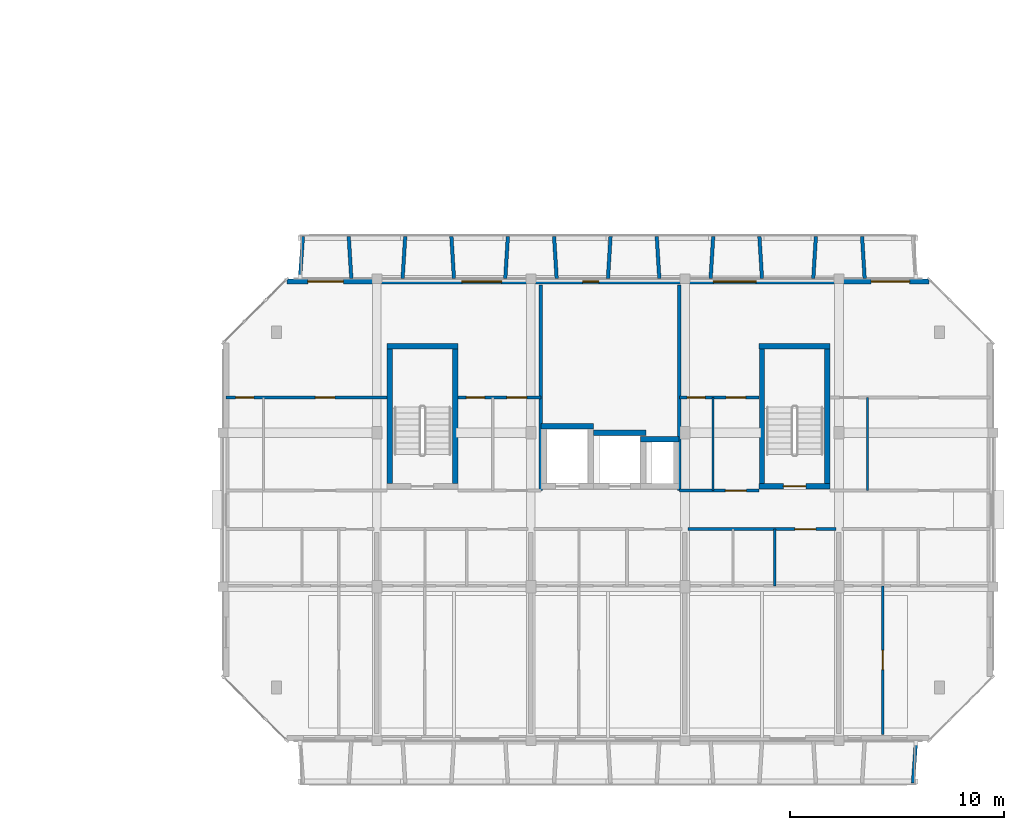
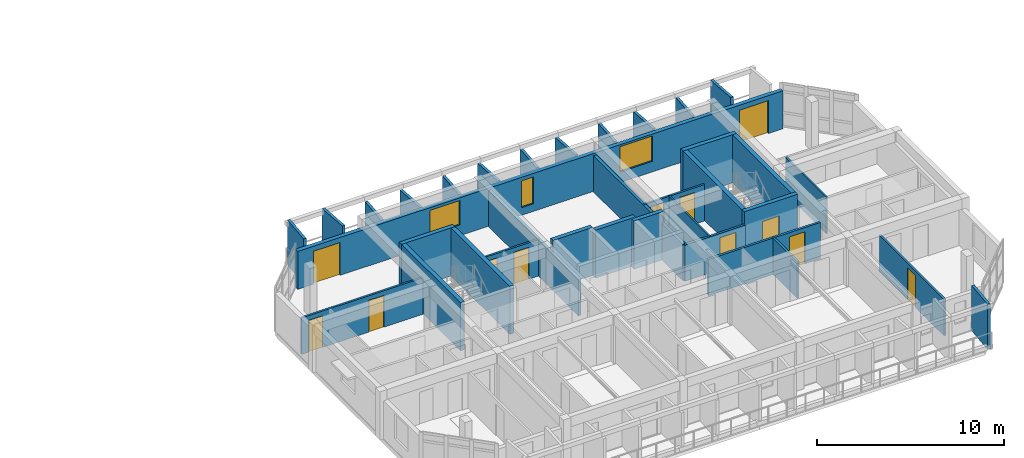
# One storey, part 27 of 43: 35 walls, 12 doors, 3 windows, 15 openings.
"""IFC4 building model written with IfcOpenShell, lengths in metres."""

from ifc_helpers import new_model, si_unit, direction, frame, frame_2d, origin, place, context, subcontext, project, spatial, rectangle, extrude, material, layer, layer_set, type_object, element, fill, save


model = new_model("IFC4")

# Units and contexts
model_context = context("Model", 3, precision=1e-05, world=origin(), true_north=direction((0.0, 1.0)))
body_context = subcontext(model_context, "Body", "Model", "MODEL_VIEW")
ifc_project = project(units=[si_unit("LENGTHUNIT", "METRE"), si_unit("AREAUNIT", "SQUARE_METRE"), si_unit("VOLUMEUNIT", "CUBIC_METRE"), si_unit("PLANEANGLEUNIT", "RADIAN"), si_unit("MASSUNIT", "GRAM", prefix="KILO")], contexts=[model_context])

# Site, building, storey
site_placement = place(None, origin())
site = spatial("IfcSite", under=ifc_project, at=site_placement, CompositionType="ELEMENT")
building_placement = place(site_placement, origin())
building = spatial("IfcBuilding", under=site, at=building_placement, Name="Ochrevale Crest", CompositionType="ELEMENT")
storey_placement = place(building_placement, frame((0.0, 0.0, 30.75)))
storey = spatial("IfcBuildingStorey", under=building, at=storey_placement, Name="L09", CompositionType="ELEMENT", Elevation=30.75)

# Wall, opening, door
ifc_material_1 = material(Name="Gypsum plasterboard", Category="gypsum")
ifc_layer_1 = layer(ifc_material_1, 0.139892578125)
ifc_layer_set_1 = layer_set([ifc_layer_1], Name="Gypsum plasterboard")
wall_type_1 = type_object("IfcWallType", Name="WL-COR-140", PredefinedType="PARTITIONING", material=ifc_layer_set_1)
wall_1_placement = place(storey_placement, frame((151.340087890625, 24.300048828125, 0.0), z_axis=(0.0, 0.0, 1.0), x_axis=(1.0, 0.0, 0.0)))
wall_1 = element("IfcWall", 1, at=wall_1_placement, inside=storey, type_object=wall_type_1, Name="Apartment C-L09-U4 corridor wall", PredefinedType="PARTITIONING", context=body_context, shape_type="SweptSolid", body=[
    extrude(rectangle(XDim=6.919921875, YDim=0.139892578125, at=frame_2d((3.4599609375, 0.0))), origin(), (0.0, 0.0, 1.0), 2.3798828125),
])
opening_1_placement = place(wall_1_placement, frame((5.97509765625, 0.0, 0.0), z_axis=(0.0, 0.0, 1.0), x_axis=(-1.0, 0.0, 0.0)))
opening_1 = element("IfcOpeningElement", 2, at=opening_1_placement, cuts=wall_1, Name="Opening FD01", PredefinedType="OPENING", context=body_context, shape_type="SweptSolid", body=[
    extrude(rectangle(XDim=0.97998046875, YDim=2.10009765625, at=frame_2d((0.489990234375, 1.050048828125))), frame((0.0, 0.080078125, 0.0), z_axis=(0.0, -1.0, 0.0), x_axis=(1.0, 0.0, 0.0)), (0.0, 0.0, 1.0), 0.159912109375),
])
ifc_material_2 = material(Name="Solid-core FSC hardwood", Category="wood")
door_type_1 = type_object("IfcDoorType", Name="DR-APT-950", OperationType="NOTDEFINED", PredefinedType="DOOR", material=ifc_material_2)
door_1_placement = place(opening_1_placement, origin())
door_1 = element("IfcDoor", 3, at=door_1_placement, inside=storey, type_object=door_type_1, Name="Apartment C-L09-U4 entrance door", OperationType="SINGLE_SWING_RIGHT", OverallHeight=2.10009765625, OverallWidth=0.97998046875, PredefinedType="DOOR", context=body_context, shape_type="SweptSolid", body=[
    extrude(rectangle(XDim=0.97998046875, YDim=2.10009765625, at=frame_2d((0.489990234375, 1.050048828125))), frame((0.0, 0.02490234375, 0.0), z_axis=(0.0, -1.0, 0.0), x_axis=(1.0, 0.0, 0.0)), (0.0, 0.0, 1.0), 0.050048828125),
])
fill(opening_1, door_1)

wall_2_placement = place(storey_placement, frame((150.93994140625, 26.10009765625, 0.0), z_axis=(0.0, 0.0, 1.0), x_axis=(1.0, 0.0, 0.0)))
wall_2 = element("IfcWall", 4, at=wall_2_placement, inside=storey, type_object=wall_type_1, Name="Suite C-L09-ME corridor wall", PredefinedType="PARTITIONING", context=body_context, shape_type="SweptSolid", body=[
    extrude(rectangle(XDim=3.719970703125, YDim=0.139892578125, at=frame_2d((1.85986328125, 0.0))), origin(), (0.0, 0.0, 1.0), 2.3798828125),
])
opening_2_placement = place(wall_2_placement, frame((2.151123046875, 0.0, 0.0)))
opening_2 = element("IfcOpeningElement", 5, at=opening_2_placement, cuts=wall_2, Name="Opening FD01", PredefinedType="OPENING", context=body_context, shape_type="SweptSolid", body=[
    extrude(rectangle(XDim=0.97998046875, YDim=2.10009765625, at=frame_2d((0.489990234375, 1.050048828125))), frame((0.0, 0.080078125, 0.0), z_axis=(0.0, -1.0, 0.0), x_axis=(1.0, 0.0, 0.0)), (0.0, 0.0, 1.0), 0.159912109375),
])
door_2_placement = place(opening_2_placement, origin())
door_2 = element("IfcDoor", 6, at=door_2_placement, inside=storey, type_object=door_type_1, Name="Suite C-L09-ME entrance door", OperationType="SINGLE_SWING_LEFT", OverallHeight=2.10009765625, OverallWidth=0.97998046875, PredefinedType="DOOR", context=body_context, shape_type="SweptSolid", body=[
    extrude(rectangle(XDim=0.97998046875, YDim=2.10009765625, at=frame_2d((0.489990234375, 1.050048828125))), frame((0.0, 0.02490234375, 0.0), z_axis=(0.0, -1.0, 0.0), x_axis=(1.0, 0.0, 0.0)), (0.0, 0.0, 1.0), 0.050048828125),
])
fill(opening_2, door_2)

# Walls
ifc_material_3 = material(Name="Precast concrete C50/60", Category="concrete")
ifc_layer_2 = layer(ifc_material_3, 0.2548828125)
ifc_layer_set_2 = layer_set([ifc_layer_2], Name="Precast concrete C50/60")
wall_type_2 = type_object("IfcWallType", Name="WL-CORE-255", PredefinedType="SHEAR", material=ifc_layer_set_2)
wall_3_placement = place(storey_placement, frame((137.2724609375, 32.85009765625, 0.0), z_axis=(0.0, 0.0, 1.0), x_axis=(1.0, 0.0, 0.0)))
element("IfcWall", 7, at=wall_3_placement, inside=storey, type_object=wall_type_2, Name="Block C L09 Stair 1 precast core shear wall N", PredefinedType="SHEAR", context=body_context, shape_type="SweptSolid", body=[
    extrude(rectangle(XDim=3.304931640625, YDim=0.2548828125, at=frame_2d((1.65234375, 0.0))), origin(), (0.0, 0.0, 1.0), 3.14990234375),
])
for number, where, z_axis, x_axis, name in (
    (8, (137.39990234375, 26.427490234375, 0.0), (0.0, 0.0, 1.0), (0.0, 1.0, 0.0), "Block C L09 Stair 1 precast core shear wall W"),
    (9, (140.449951171875, 26.427490234375, 0.0), (0.0, 0.0, 1.0), (0.0, 1.0, 0.0), "Block C L09 Stair 1 precast core shear wall E"),
):
    element("IfcWall", number, at=place(storey_placement, frame(where, z_axis=z_axis, x_axis=x_axis)), inside=storey, type_object=wall_type_2, Name=name, PredefinedType="SHEAR", context=body_context, shape_type="SweptSolid", body=[
        extrude(rectangle(XDim=6.294921875, YDim=0.2548828125, at=frame_2d((3.1474609375, 0.0))), origin(), (0.0, 0.0, 1.0), 3.14990234375),
    ])

# Wall, opening, door
wall_4_placement = place(storey_placement, frame((154.672607421875, 26.300048828125, 0.0), z_axis=(0.0, 0.0, 1.0), x_axis=(1.0, 0.0, 0.0)))
wall_4 = element("IfcWall", 10, at=wall_4_placement, inside=storey, type_object=wall_type_2, Name="Block C L09 Stair 2 precast core shear wall S", PredefinedType="SHEAR", context=body_context, shape_type="SweptSolid", body=[
    extrude(rectangle(XDim=3.304931640625, YDim=0.2548828125, at=frame_2d((1.65234375, 0.0))), origin(), (0.0, 0.0, 1.0), 3.14990234375),
])
opening_3_placement = place(wall_4_placement, frame((1.12744140625, 0.0, 0.0)))
opening_3 = element("IfcOpeningElement", 11, at=opening_3_placement, cuts=wall_4, Name="Opening FD03", PredefinedType="OPENING", context=body_context, shape_type="SweptSolid", body=[
    extrude(rectangle(XDim=1.050048828125, YDim=2.1201171875, at=frame_2d((0.52490234375, 1.06005859375))), frame((0.0, 0.137451171875, 0.0), z_axis=(0.0, -1.0, 0.0), x_axis=(1.0, 0.0, 0.0)), (0.0, 0.0, 1.0), 0.27490234375),
])
door_type_2 = type_object("IfcDoorType", Name="DR-ST-1050", OperationType="NOTDEFINED", PredefinedType="DOOR", material=ifc_material_2)
door_3_placement = place(opening_3_placement, origin())
door_3 = element("IfcDoor", 12, at=door_3_placement, inside=storey, type_object=door_type_2, Name="Block C L09 fire stair 2 door", OperationType="SINGLE_SWING_LEFT", OverallHeight=2.1201171875, OverallWidth=1.050048828125, PredefinedType="DOOR", context=body_context, shape_type="SweptSolid", body=[
    extrude(rectangle(XDim=1.050048828125, YDim=2.1201171875, at=frame_2d((0.52490234375, 1.06005859375))), frame((0.0, 0.02490234375, 0.0), z_axis=(0.0, -1.0, 0.0), x_axis=(1.0, 0.0, 0.0)), (0.0, 0.0, 1.0), 0.050048828125),
])
fill(opening_3, door_3)

# Walls
wall_5_placement = place(storey_placement, frame((154.672607421875, 32.85009765625, 0.0), z_axis=(0.0, 0.0, 1.0), x_axis=(1.0, 0.0, 0.0)))
element("IfcWall", 13, at=wall_5_placement, inside=storey, type_object=wall_type_2, Name="Block C L09 Stair 2 precast core shear wall N", PredefinedType="SHEAR", context=body_context, shape_type="SweptSolid", body=[
    extrude(rectangle(XDim=3.304931640625, YDim=0.2548828125, at=frame_2d((1.65234375, 0.0))), origin(), (0.0, 0.0, 1.0), 3.14990234375),
])
for number, where, z_axis, x_axis, name in (
    (14, (154.800048828125, 26.427490234375, 0.0), (0.0, 0.0, 1.0), (0.0, 1.0, 0.0), "Block C L09 Stair 2 precast core shear wall W"),
    (15, (157.85009765625, 26.427490234375, 0.0), (0.0, 0.0, 1.0), (0.0, 1.0, 0.0), "Block C L09 Stair 2 precast core shear wall E"),
):
    element("IfcWall", number, at=place(storey_placement, frame(where, z_axis=z_axis, x_axis=x_axis)), inside=storey, type_object=wall_type_2, Name=name, PredefinedType="SHEAR", context=body_context, shape_type="SweptSolid", body=[
        extrude(rectangle(XDim=6.294921875, YDim=0.2548828125, at=frame_2d((3.1474609375, 0.0))), origin(), (0.0, 0.0, 1.0), 3.14990234375),
    ])
wall_6_placement = place(storey_placement, frame((144.472412109375, 29.10009765625, 0.0), z_axis=(0.0, 0.0, 1.0), x_axis=(1.0, 0.0, 0.0)))
element("IfcWall", 16, at=wall_6_placement, inside=storey, type_object=wall_type_2, Name="Block C L09 Lift 1 precast shaft shear wall N", PredefinedType="SHEAR", context=body_context, shape_type="SweptSolid", body=[
    extrude(rectangle(XDim=2.455078125, YDim=0.2548828125, at=frame_2d((1.2275390625, 0.0))), origin(), (0.0, 0.0, 1.0), 3.14990234375),
])
wall_7_placement = place(storey_placement, frame((146.922607421875, 28.800048828125, 0.0), z_axis=(0.0, 0.0, 1.0), x_axis=(1.0, 0.0, 0.0)))
element("IfcWall", 17, at=wall_7_placement, inside=storey, type_object=wall_type_2, Name="Block C L09 Lift 2 precast shaft shear wall N", PredefinedType="SHEAR", context=body_context, shape_type="SweptSolid", body=[
    extrude(rectangle(XDim=2.454833984375, YDim=0.2548828125, at=frame_2d((1.2275390625, 0.0))), origin(), (0.0, 0.0, 1.0), 3.14990234375),
])
wall_8_placement = place(storey_placement, frame((149.12255859375, 28.5, 0.0), z_axis=(0.0, 0.0, 1.0), x_axis=(1.0, 0.0, 0.0)))
element("IfcWall", 18, at=wall_8_placement, inside=storey, type_object=wall_type_2, Name="Block C L09 services riser shaft core wall N", PredefinedType="SHEAR", context=body_context, shape_type="SweptSolid", body=[
    extrude(rectangle(XDim=1.804931640625, YDim=0.2548828125, at=frame_2d((0.90234375, 0.0))), origin(), (0.0, 0.0, 1.0), 3.14990234375),
])

# Wall, openings, doors, windows
ifc_material_4 = material(Name="Precast concrete C40/50", Category="concrete")
ifc_layer_3 = layer(ifc_material_4, 0.25)
ifc_layer_set_3 = layer_set([ifc_layer_3], Name="Precast concrete C40/50")
wall_type_3 = type_object("IfcWallType", Name="WL-EXT-GOLD-250", PredefinedType="SOLIDWALL", material=ifc_layer_set_3)
wall_9_placement = place(storey_placement, frame((162.60009765625, 35.875, 0.0), z_axis=(0.0, 0.0, 1.0), x_axis=(-1.0, 0.0, 0.0)))
wall_9 = element("IfcWall", 19, at=wall_9_placement, inside=storey, type_object=wall_type_3, Name="Block C L09 external facade wall E5", PredefinedType="SOLIDWALL", context=body_context, shape_type="SweptSolid", body=[
    extrude(rectangle(XDim=30.0, YDim=0.25, at=frame_2d((15.0, 0.0))), origin(), (0.0, 0.0, 1.0), 2.47998046875),
])
opening_4_placement = place(wall_9_placement, frame((29.02490234375, 0.0, 0.0), z_axis=(0.0, 0.0, 1.0), x_axis=(-1.0, 0.0, 0.0)))
opening_4 = element("IfcOpeningElement", 20, at=opening_4_placement, cuts=wall_9, Name="Opening BD02", PredefinedType="OPENING", context=body_context, shape_type="SweptSolid", body=[
    extrude(rectangle(XDim=1.64990234375, YDim=2.14990234375, at=frame_2d((0.824951171875, 1.074951171875))), frame((0.0, 0.135009765625, 0.0), z_axis=(0.0, -1.0, 0.0), x_axis=(1.0, 0.0, 0.0)), (0.0, 0.0, 1.0), 0.27001953125),
])
opening_5_placement = place(wall_9_placement, frame((2.699951171875, 0.0, 0.0), z_axis=(0.0, 0.0, 1.0), x_axis=(-1.0, 0.0, 0.0)))
opening_5 = element("IfcOpeningElement", 21, at=opening_5_placement, cuts=wall_9, Name="Opening BD03", PredefinedType="OPENING", context=body_context, shape_type="SweptSolid", body=[
    extrude(rectangle(XDim=1.800048828125, YDim=2.14990234375, at=frame_2d((0.89990234375, 1.074951171875))), frame((0.0, 0.135009765625, 0.0), z_axis=(0.0, -1.0, 0.0), x_axis=(1.0, 0.0, 0.0)), (0.0, 0.0, 1.0), 0.27001953125),
])
opening_6_placement = place(wall_9_placement, frame((15.429931640625, 0.0, 0.5)))
opening_6 = element("IfcOpeningElement", 22, at=opening_6_placement, cuts=wall_9, Name="Opening W16", PredefinedType="OPENING", context=body_context, shape_type="SweptSolid", body=[
    extrude(rectangle(XDim=0.75, YDim=1.75, at=frame_2d((0.375, 0.875))), frame((0.0, 0.135009765625, 0.0), z_axis=(0.0, -1.0, 0.0), x_axis=(1.0, 0.0, 0.0)), (0.0, 0.0, 1.0), 0.27001953125),
])
opening_7_placement = place(wall_9_placement, frame((8.074951171875, 0.0, 0.699951171875)))
opening_7 = element("IfcOpeningElement", 23, at=opening_7_placement, cuts=wall_9, Name="Opening W12", PredefinedType="OPENING", context=body_context, shape_type="SweptSolid", body=[
    extrude(rectangle(XDim=2.0, YDim=1.64990234375, at=frame_2d((1.0, 0.824951171875))), frame((0.0, 0.135009765625, 0.0), z_axis=(0.0, -1.0, 0.0), x_axis=(1.0, 0.0, 0.0)), (0.0, 0.0, 1.0), 0.27001953125),
])
opening_8_placement = place(wall_9_placement, frame((19.969970703125, 0.0, 0.699951171875)))
opening_8 = element("IfcOpeningElement", 24, at=opening_8_placement, cuts=wall_9, Name="Opening W11", PredefinedType="OPENING", context=body_context, shape_type="SweptSolid", body=[
    extrude(rectangle(XDim=1.860107421875, YDim=1.60009765625, at=frame_2d((0.93017578125, 0.800048828125))), frame((0.0, 0.135009765625, 0.0), z_axis=(0.0, -1.0, 0.0), x_axis=(1.0, 0.0, 0.0)), (0.0, 0.0, 1.0), 0.27001953125),
])
ifc_material_5 = material(Name="Anodised aluminium 6063-T5 and toughened glass", Category="aluminium")
door_type_3 = type_object("IfcDoorType", Name="DR-BAL-1650", OperationType="NOTDEFINED", PredefinedType="DOOR", material=ifc_material_5)
door_4_placement = place(opening_4_placement, origin())
door_4 = element("IfcDoor", 25, at=door_4_placement, inside=storey, type_object=door_type_3, Name="Block C L09 balcony door N1", OperationType="SINGLE_SWING_RIGHT", OverallHeight=2.14990234375, OverallWidth=1.64990234375, PredefinedType="DOOR", context=body_context, shape_type="SweptSolid", body=[
    extrude(rectangle(XDim=1.64990234375, YDim=2.14990234375, at=frame_2d((0.824951171875, 1.074951171875))), frame((0.0, 0.02490234375, 0.0), z_axis=(0.0, -1.0, 0.0), x_axis=(1.0, 0.0, 0.0)), (0.0, 0.0, 1.0), 0.050048828125),
])
fill(opening_4, door_4)
door_type_4 = type_object("IfcDoorType", Name="DR-BAL-1800", OperationType="NOTDEFINED", PredefinedType="DOOR", material=ifc_material_5)
door_5_placement = place(opening_5_placement, origin())
door_5 = element("IfcDoor", 26, at=door_5_placement, inside=storey, type_object=door_type_4, Name="Block C L09 balcony door N5", OperationType="SINGLE_SWING_LEFT", OverallHeight=2.14990234375, OverallWidth=1.800048828125, PredefinedType="DOOR", context=body_context, shape_type="SweptSolid", body=[
    extrude(rectangle(XDim=1.800048828125, YDim=2.14990234375, at=frame_2d((0.89990234375, 1.074951171875))), frame((0.0, 0.02490234375, 0.0), z_axis=(0.0, -1.0, 0.0), x_axis=(1.0, 0.0, 0.0)), (0.0, 0.0, 1.0), 0.050048828125),
])
fill(opening_5, door_5)
ifc_material_6 = material(Name="Anodised aluminium 6063-T5 and low-E double glazing", Category="aluminium")
window_type_1 = type_object("IfcWindowType", Name="WIN-W11", PartitioningType="SINGLE_PANEL", PredefinedType="WINDOW", material=ifc_material_6)
window_1_placement = place(opening_8_placement, origin())
window_1 = element("IfcWindow", 27, at=window_1_placement, inside=storey, type_object=window_type_1, Name="Block C L09 Suite C-L09-MW Courtyard Studio Living window", OverallHeight=1.60009765625, OverallWidth=1.860107421875, PartitioningType="SINGLE_PANEL", PredefinedType="WINDOW", context=body_context, shape_type="SweptSolid", body=[
    extrude(rectangle(XDim=1.860107421875, YDim=1.60009765625, at=frame_2d((0.93017578125, 0.800048828125))), frame((0.0, 0.030029296875, 0.0), z_axis=(0.0, -1.0, 0.0), x_axis=(1.0, 0.0, 0.0)), (0.0, 0.0, 1.0), 0.06005859375),
])
fill(opening_8, window_1)
window_type_2 = type_object("IfcWindowType", Name="WIN-W12", PartitioningType="SINGLE_PANEL", PredefinedType="WINDOW", material=ifc_material_6)
window_2_placement = place(opening_7_placement, origin())
window_2 = element("IfcWindow", 28, at=window_2_placement, inside=storey, type_object=window_type_2, Name="Block C L09 Suite C-L09-ME Garden Alcove Studio window", OverallHeight=1.64990234375, OverallWidth=2.0, PartitioningType="SINGLE_PANEL", PredefinedType="WINDOW", context=body_context, shape_type="SweptSolid", body=[
    extrude(rectangle(XDim=2.0, YDim=1.64990234375, at=frame_2d((1.0, 0.824951171875))), frame((0.0, 0.030029296875, 0.0), z_axis=(0.0, -1.0, 0.0), x_axis=(1.0, 0.0, 0.0)), (0.0, 0.0, 1.0), 0.06005859375),
])
fill(opening_7, window_2)
window_type_3 = type_object("IfcWindowType", Name="WIN-W16", PartitioningType="SINGLE_PANEL", PredefinedType="WINDOW", material=ifc_material_6)
window_3_placement = place(opening_6_placement, origin())
window_3 = element("IfcWindow", 29, at=window_3_placement, inside=storey, type_object=window_type_3, Name="Block C L09 core lancet window", OverallHeight=1.75, OverallWidth=0.75, PartitioningType="SINGLE_PANEL", PredefinedType="WINDOW", context=body_context, shape_type="SweptSolid", body=[
    extrude(rectangle(XDim=0.75, YDim=1.75, at=frame_2d((0.375, 0.875))), frame((0.0, 0.030029296875, 0.0), z_axis=(0.0, -1.0, 0.0), x_axis=(1.0, 0.0, 0.0)), (0.0, 0.0, 1.0), 0.06005859375),
])
fill(opening_6, window_3)

# Walls
ifc_layer_4 = layer(ifc_material_4, 0.1650390625)
ifc_layer_set_4 = layer_set([ifc_layer_4], Name="Precast concrete C40/50")
wall_type_4 = type_object("IfcWallType", Name="WL-HC-CHEEK-165", PredefinedType="ELEMENTEDWALL", material=ifc_layer_set_4)
for number, where, z_axis, x_axis, name in (
    (30, (162.0, 14.3798828125, 0.0), (0.0, 0.0, 1.0), (-0.071194071069, -0.997462482625, 0.0), "Block C L09 S precast honeycomb cheek 13"),
    (31, (133.199951171875, 36.02001953125, 0.0), (0.0, 0.0, 1.0), (0.071317687608, 0.997453651772, 0.0), "Block C L09 N precast honeycomb cheek 1"),
):
    element("IfcWall", number, at=place(storey_placement, frame(where, z_axis=z_axis, x_axis=x_axis)), inside=storey, type_object=wall_type_4, Name=name, PredefinedType="ELEMENTEDWALL", context=body_context, shape_type="SweptSolid", body=[
        extrude(rectangle(XDim=1.96484375, YDim=0.1650390625, at=frame_2d((0.982421875, 0.0))), origin(), (0.0, 0.0, 1.0), 2.949951171875),
    ])
wall_10_placement = place(storey_placement, frame((135.60009765625, 36.02001953125, 0.0), z_axis=(0.0, 0.0, 1.0), x_axis=(-0.061170732449, 0.998127317276, 0.0)))
element("IfcWall", 32, at=wall_10_placement, inside=storey, type_object=wall_type_4, Name="Block C L09 N precast honeycomb cheek 2", PredefinedType="ELEMENTEDWALL", context=body_context, shape_type="SweptSolid", body=[
    extrude(rectangle(XDim=1.963623046875, YDim=0.1650390625, at=frame_2d((0.98193359375, 0.0))), origin(), (0.0, 0.0, 1.0), 2.949951171875),
])
for number, where, z_axis, x_axis, name in (
    (33, (138.0, 36.02001953125, 0.0), (0.0, 0.0, 1.0), (0.061170732449, 0.998127317276, 0.0), "Block C L09 N precast honeycomb cheek 3"),
    (34, (140.39990234375, 36.02001953125, 0.0), (0.0, 0.0, 1.0), (-0.061046865508, 0.998134900808, 0.0), "Block C L09 N precast honeycomb cheek 4"),
    (35, (142.800048828125, 36.02001953125, 0.0), (0.0, 0.0, 1.0), (0.061046865508, 0.998134900808, 0.0), "Block C L09 N precast honeycomb cheek 5"),
):
    element("IfcWall", number, at=place(storey_placement, frame(where, z_axis=z_axis, x_axis=x_axis)), inside=storey, type_object=wall_type_4, Name=name, PredefinedType="ELEMENTEDWALL", context=body_context, shape_type="SweptSolid", body=[
        extrude(rectangle(XDim=1.963623046875, YDim=0.1650390625, at=frame_2d((0.98193359375, 0.0))), origin(), (0.0, 0.0, 1.0), 2.47998046875),
    ])
for number, where, z_axis, x_axis, name in (
    (36, (145.199951171875, 36.02001953125, 0.0), (0.0, 0.0, 1.0), (-0.061046865508, 0.998134900808, 0.0), "Block C L09 N precast honeycomb cheek 6"),
    (37, (147.60009765625, 36.02001953125, 0.0), (0.0, 0.0, 1.0), (0.061046865508, 0.998134900808, 0.0), "Block C L09 N precast honeycomb cheek 7"),
    (38, (150.0, 36.02001953125, 0.0), (0.0, 0.0, 1.0), (-0.061170732449, 0.998127317276, 0.0), "Block C L09 N precast honeycomb cheek 8"),
):
    element("IfcWall", number, at=place(storey_placement, frame(where, z_axis=z_axis, x_axis=x_axis)), inside=storey, type_object=wall_type_4, Name=name, PredefinedType="ELEMENTEDWALL", context=body_context, shape_type="SweptSolid", body=[
        extrude(rectangle(XDim=1.963623046875, YDim=0.1650390625, at=frame_2d((0.98193359375, 0.0))), origin(), (0.0, 0.0, 1.0), 2.550048828125),
    ])
for number, where, z_axis, x_axis, name in (
    (39, (152.39990234375, 36.02001953125, 0.0), (0.0, 0.0, 1.0), (0.061170732449, 0.998127317276, 0.0), "Block C L09 N precast honeycomb cheek 9"),
    (40, (154.800048828125, 36.02001953125, 0.0), (0.0, 0.0, 1.0), (-0.061170732449, 0.998127317276, 0.0), "Block C L09 N precast honeycomb cheek 10"),
    (41, (157.199951171875, 36.02001953125, 0.0), (0.0, 0.0, 1.0), (0.061170732449, 0.998127317276, 0.0), "Block C L09 N precast honeycomb cheek 11"),
):
    element("IfcWall", number, at=place(storey_placement, frame(where, z_axis=z_axis, x_axis=x_axis)), inside=storey, type_object=wall_type_4, Name=name, PredefinedType="ELEMENTEDWALL", context=body_context, shape_type="SweptSolid", body=[
        extrude(rectangle(XDim=1.963623046875, YDim=0.1650390625, at=frame_2d((0.98193359375, 0.0))), origin(), (0.0, 0.0, 1.0), 2.580078125),
    ])
wall_11_placement = place(storey_placement, frame((159.60009765625, 36.02001953125, 0.0), z_axis=(0.0, 0.0, 1.0), x_axis=(-0.061170732449, 0.998127317276, 0.0)))
element("IfcWall", 42, at=wall_11_placement, inside=storey, type_object=wall_type_4, Name="Block C L09 N precast honeycomb cheek 12", PredefinedType="ELEMENTEDWALL", context=body_context, shape_type="SweptSolid", body=[
    extrude(rectangle(XDim=1.963623046875, YDim=0.1650390625, at=frame_2d((0.98193359375, 0.0))), origin(), (0.0, 0.0, 1.0), 2.949951171875),
])
ifc_layer_5 = layer(ifc_material_1, 0.1201171875)
ifc_layer_set_5 = layer_set([ifc_layer_5], Name="Gypsum plasterboard")
wall_type_5 = type_object("IfcWallType", Name="WL-PART-120", PredefinedType="PARTITIONING", material=ifc_layer_set_5)
wall_12_placement = place(storey_placement, frame((155.389892578125, 21.64990234375, 0.0), z_axis=(0.0, 0.0, 1.0), x_axis=(0.0, 1.0, 0.0)))
element("IfcWall", 43, at=wall_12_placement, inside=storey, type_object=wall_type_5, Name="Apartment C-L09-U4 kitchen-foyer wall", PredefinedType="PARTITIONING", context=body_context, shape_type="SweptSolid", body=[
    extrude(rectangle(XDim=2.650146484375, YDim=0.1201171875, at=frame_2d((1.3251953125, 0.0))), origin(), (0.0, 0.0, 1.0), 2.3798828125),
])

# Wall, opening, door
wall_13_placement = place(storey_placement, frame((160.449951171875, 14.699951171875, 0.0), z_axis=(0.0, 0.0, 1.0), x_axis=(0.0, 1.0, 0.0)))
wall_13 = element("IfcWall", 44, at=wall_13_placement, inside=storey, type_object=wall_type_5, Name="Apartment C-L09-U5 bedroom partition", PredefinedType="PARTITIONING", context=body_context, shape_type="SweptSolid", body=[
    extrude(rectangle(XDim=6.949951171875, YDim=0.1201171875, at=frame_2d((3.47509765625, 0.0))), origin(), (0.0, 0.0, 1.0), 2.3798828125),
])
opening_9_placement = place(wall_13_placement, frame((3.02490234375, 0.0, 0.0)))
opening_9 = element("IfcOpeningElement", 45, at=opening_9_placement, cuts=wall_13, Name="Opening ID02", PredefinedType="OPENING", context=body_context, shape_type="SweptSolid", body=[
    extrude(rectangle(XDim=0.89990234375, YDim=2.080078125, at=frame_2d((0.449951171875, 1.0400390625))), frame((0.0, 0.070068359375, 0.0), z_axis=(0.0, -1.0, 0.0), x_axis=(1.0, 0.0, 0.0)), (0.0, 0.0, 1.0), 0.14013671875),
])
door_type_5 = type_object("IfcDoorType", Name="DR-INT-900", OperationType="NOTDEFINED", PredefinedType="DOOR", material=ifc_material_2)
door_6_placement = place(opening_9_placement, origin())
door_6 = element("IfcDoor", 46, at=door_6_placement, inside=storey, type_object=door_type_5, Name="Apartment C-L09-U5 Master Bedroom door", OperationType="SINGLE_SWING_RIGHT", OverallHeight=2.080078125, OverallWidth=0.89990234375, PredefinedType="DOOR", context=body_context, shape_type="SweptSolid", body=[
    extrude(rectangle(XDim=0.89990234375, YDim=2.080078125, at=frame_2d((0.449951171875, 1.0400390625))), frame((0.0, 0.02490234375, 0.0), z_axis=(0.0, -1.0, 0.0), x_axis=(1.0, 0.0, 0.0)), (0.0, 0.0, 1.0), 0.050048828125),
])
fill(opening_9, door_6)

# Wall, openings, doors
wall_14_placement = place(storey_placement, frame((129.739990234375, 30.449951171875, 0.0), z_axis=(0.0, 0.0, 1.0), x_axis=(1.0, 0.0, 0.0)))
wall_14 = element("IfcWall", 47, at=wall_14_placement, inside=storey, type_object=wall_type_5, Name="Suite C-L09-CW internal wall", PredefinedType="PARTITIONING", context=body_context, shape_type="SweptSolid", body=[
    extrude(rectangle(XDim=7.52001953125, YDim=0.1201171875, at=frame_2d((3.760009765625, 0.0))), origin(), (0.0, 0.0, 1.0), 2.3798828125),
])
opening_10_placement = place(wall_14_placement, frame((1.300048828125, 0.0, 0.0), z_axis=(0.0, 0.0, 1.0), x_axis=(-1.0, 0.0, 0.0)))
opening_10 = element("IfcOpeningElement", 48, at=opening_10_placement, cuts=wall_14, Name="Opening ID01", PredefinedType="OPENING", context=body_context, shape_type="SweptSolid", body=[
    extrude(rectangle(XDim=0.85009765625, YDim=2.080078125, at=frame_2d((0.425048828125, 1.0400390625))), frame((0.0, 0.070068359375, 0.0), z_axis=(0.0, -1.0, 0.0), x_axis=(1.0, 0.0, 0.0)), (0.0, 0.0, 1.0), 0.14013671875),
])
opening_11_placement = place(wall_14_placement, frame((4.175048828125, 0.0, 0.0)))
opening_11 = element("IfcOpeningElement", 49, at=opening_11_placement, cuts=wall_14, Name="Opening ID04", PredefinedType="OPENING", context=body_context, shape_type="SweptSolid", body=[
    extrude(rectangle(XDim=0.919921875, YDim=2.080078125, at=frame_2d((0.4599609375, 1.0400390625))), frame((0.0, 0.070068359375, 0.0), z_axis=(0.0, -1.0, 0.0), x_axis=(1.0, 0.0, 0.0)), (0.0, 0.0, 1.0), 0.14013671875),
])
door_type_6 = type_object("IfcDoorType", Name="DR-INT-920", OperationType="NOTDEFINED", PredefinedType="DOOR", material=ifc_material_2)
door_7_placement = place(opening_11_placement, origin())
door_7 = element("IfcDoor", 50, at=door_7_placement, inside=storey, type_object=door_type_6, Name="Suite C-L09-CW Quiet Reading Room door", OperationType="SINGLE_SWING_LEFT", OverallHeight=2.080078125, OverallWidth=0.919921875, PredefinedType="DOOR", context=body_context, shape_type="SweptSolid", body=[
    extrude(rectangle(XDim=0.919921875, YDim=2.080078125, at=frame_2d((0.4599609375, 1.0400390625))), frame((0.0, 0.02490234375, 0.0), z_axis=(0.0, -1.0, 0.0), x_axis=(1.0, 0.0, 0.0)), (0.0, 0.0, 1.0), 0.050048828125),
])
fill(opening_11, door_7)
door_type_7 = type_object("IfcDoorType", Name="DR-WC-850", OperationType="NOTDEFINED", PredefinedType="DOOR", material=ifc_material_2)
door_8_placement = place(opening_10_placement, origin())
door_8 = element("IfcDoor", 51, at=door_8_placement, inside=storey, type_object=door_type_7, Name="Suite C-L09-CW Bathroom door", OperationType="SINGLE_SWING_RIGHT", OverallHeight=2.080078125, OverallWidth=0.85009765625, PredefinedType="DOOR", context=body_context, shape_type="SweptSolid", body=[
    extrude(rectangle(XDim=0.85009765625, YDim=2.080078125, at=frame_2d((0.425048828125, 1.0400390625))), frame((0.0, 0.02490234375, 0.0), z_axis=(0.0, -1.0, 0.0), x_axis=(1.0, 0.0, 0.0)), (0.0, 0.0, 1.0), 0.050048828125),
])
fill(opening_10, door_8)

wall_15_placement = place(storey_placement, frame((140.590087890625, 30.449951171875, 0.0), z_axis=(0.0, 0.0, 1.0), x_axis=(1.0, 0.0, 0.0)))
wall_15 = element("IfcWall", 52, at=wall_15_placement, inside=storey, type_object=wall_type_5, Name="Suite C-L09-MW internal wall", PredefinedType="PARTITIONING", context=body_context, shape_type="SweptSolid", body=[
    extrude(rectangle(XDim=3.869873046875, YDim=0.1201171875, at=frame_2d((1.93505859375, 0.0))), origin(), (0.0, 0.0, 1.0), 2.3798828125),
])
opening_12_placement = place(wall_15_placement, frame((0.3876953125, 0.0, 0.0)))
opening_12 = element("IfcOpeningElement", 53, at=opening_12_placement, cuts=wall_15, Name="Opening ID01", PredefinedType="OPENING", context=body_context, shape_type="SweptSolid", body=[
    extrude(rectangle(XDim=0.85009765625, YDim=2.080078125, at=frame_2d((0.425048828125, 1.0400390625))), frame((0.0, 0.070068359375, 0.0), z_axis=(0.0, -1.0, 0.0), x_axis=(1.0, 0.0, 0.0)), (0.0, 0.0, 1.0), 0.14013671875),
])
opening_13_placement = place(wall_15_placement, frame((3.20751953125, 0.0, 0.0), z_axis=(0.0, 0.0, 1.0), x_axis=(-1.0, 0.0, 0.0)))
opening_13 = element("IfcOpeningElement", 54, at=opening_13_placement, cuts=wall_15, Name="Opening ID04", PredefinedType="OPENING", context=body_context, shape_type="SweptSolid", body=[
    extrude(rectangle(XDim=0.919921875, YDim=2.080078125, at=frame_2d((0.4599609375, 1.0400390625))), frame((0.0, 0.070068359375, 0.0), z_axis=(0.0, -1.0, 0.0), x_axis=(1.0, 0.0, 0.0)), (0.0, 0.0, 1.0), 0.14013671875),
])
door_9_placement = place(opening_13_placement, origin())
door_9 = element("IfcDoor", 55, at=door_9_placement, inside=storey, type_object=door_type_6, Name="Suite C-L09-MW Courtyard Studio Living door", OperationType="SINGLE_SWING_RIGHT", OverallHeight=2.080078125, OverallWidth=0.919921875, PredefinedType="DOOR", context=body_context, shape_type="SweptSolid", body=[
    extrude(rectangle(XDim=0.919921875, YDim=2.080078125, at=frame_2d((0.4599609375, 1.0400390625))), frame((0.0, 0.02490234375, 0.0), z_axis=(0.0, -1.0, 0.0), x_axis=(1.0, 0.0, 0.0)), (0.0, 0.0, 1.0), 0.050048828125),
])
fill(opening_13, door_9)
door_10_placement = place(opening_12_placement, origin())
door_10 = element("IfcDoor", 56, at=door_10_placement, inside=storey, type_object=door_type_7, Name="Suite C-L09-MW Bathroom door", OperationType="SINGLE_SWING_LEFT", OverallHeight=2.080078125, OverallWidth=0.85009765625, PredefinedType="DOOR", context=body_context, shape_type="SweptSolid", body=[
    extrude(rectangle(XDim=0.85009765625, YDim=2.080078125, at=frame_2d((0.425048828125, 1.0400390625))), frame((0.0, 0.02490234375, 0.0), z_axis=(0.0, -1.0, 0.0), x_axis=(1.0, 0.0, 0.0)), (0.0, 0.0, 1.0), 0.050048828125),
])
fill(opening_12, door_10)

wall_16_placement = place(storey_placement, frame((150.93994140625, 30.449951171875, 0.0), z_axis=(0.0, 0.0, 1.0), x_axis=(1.0, 0.0, 0.0)))
wall_16 = element("IfcWall", 57, at=wall_16_placement, inside=storey, type_object=wall_type_5, Name="Suite C-L09-ME internal wall", PredefinedType="PARTITIONING", context=body_context, shape_type="SweptSolid", body=[
    extrude(rectangle(XDim=3.719970703125, YDim=0.1201171875, at=frame_2d((1.85986328125, 0.0))), origin(), (0.0, 0.0, 1.0), 2.3798828125),
])
opening_14_placement = place(wall_16_placement, frame((1.206298828125, 0.0, 0.0), z_axis=(0.0, 0.0, 1.0), x_axis=(-1.0, 0.0, 0.0)))
opening_14 = element("IfcOpeningElement", 58, at=opening_14_placement, cuts=wall_16, Name="Opening ID01", PredefinedType="OPENING", context=body_context, shape_type="SweptSolid", body=[
    extrude(rectangle(XDim=0.85009765625, YDim=2.080078125, at=frame_2d((0.425048828125, 1.0400390625))), frame((0.0, 0.070068359375, 0.0), z_axis=(0.0, -1.0, 0.0), x_axis=(1.0, 0.0, 0.0)), (0.0, 0.0, 1.0), 0.14013671875),
])
opening_15_placement = place(wall_16_placement, frame((2.18115234375, 0.0, 0.0)))
opening_15 = element("IfcOpeningElement", 59, at=opening_15_placement, cuts=wall_16, Name="Opening ID04", PredefinedType="OPENING", context=body_context, shape_type="SweptSolid", body=[
    extrude(rectangle(XDim=0.919921875, YDim=2.080078125, at=frame_2d((0.4599609375, 1.0400390625))), frame((0.0, 0.070068359375, 0.0), z_axis=(0.0, -1.0, 0.0), x_axis=(1.0, 0.0, 0.0)), (0.0, 0.0, 1.0), 0.14013671875),
])
door_11_placement = place(opening_15_placement, origin())
door_11 = element("IfcDoor", 60, at=door_11_placement, inside=storey, type_object=door_type_6, Name="Suite C-L09-ME Garden Alcove Studio door", OperationType="SINGLE_SWING_LEFT", OverallHeight=2.080078125, OverallWidth=0.919921875, PredefinedType="DOOR", context=body_context, shape_type="SweptSolid", body=[
    extrude(rectangle(XDim=0.919921875, YDim=2.080078125, at=frame_2d((0.4599609375, 1.0400390625))), frame((0.0, 0.02490234375, 0.0), z_axis=(0.0, -1.0, 0.0), x_axis=(1.0, 0.0, 0.0)), (0.0, 0.0, 1.0), 0.050048828125),
])
fill(opening_15, door_11)
door_12_placement = place(opening_14_placement, origin())
door_12 = element("IfcDoor", 61, at=door_12_placement, inside=storey, type_object=door_type_7, Name="Suite C-L09-ME Bathroom door", OperationType="SINGLE_SWING_RIGHT", OverallHeight=2.080078125, OverallWidth=0.85009765625, PredefinedType="DOOR", context=body_context, shape_type="SweptSolid", body=[
    extrude(rectangle(XDim=0.85009765625, YDim=2.080078125, at=frame_2d((0.425048828125, 1.0400390625))), frame((0.0, 0.02490234375, 0.0), z_axis=(0.0, -1.0, 0.0), x_axis=(1.0, 0.0, 0.0)), (0.0, 0.0, 1.0), 0.050048828125),
])
fill(opening_14, door_12)

# Walls
ifc_layer_6 = layer(ifc_material_1, 0.169921875)
ifc_layer_set_6 = layer_set([ifc_layer_6], Name="Gypsum plasterboard")
wall_type_6 = type_object("IfcWallType", Name="WL-TEN-170", PredefinedType="PARTITIONING", material=ifc_layer_set_6)
for number, where, z_axis, x_axis, name in (
    (62, (144.4599609375, 26.10009765625, 0.0), (0.0, 0.0, 1.0), (0.0, 1.0, 0.0), "Suite C-L09-MW east party wall"),
    (63, (150.93994140625, 26.10009765625, 0.0), (0.0, 0.0, 1.0), (0.0, 1.0, 0.0), "Suite C-L09-ME west party wall"),
):
    element("IfcWall", number, at=place(storey_placement, frame(where, z_axis=z_axis, x_axis=x_axis)), inside=storey, type_object=wall_type_6, Name=name, PredefinedType="PARTITIONING", context=body_context, shape_type="SweptSolid", body=[
        extrude(rectangle(XDim=9.599853515625, YDim=0.169921875, at=frame_2d((4.7998046875, 0.0))), origin(), (0.0, 0.0, 1.0), 2.3798828125),
    ])
ifc_layer_7 = layer(ifc_material_1, 0.10009765625)
ifc_layer_set_7 = layer_set([ifc_layer_7], Name="Gypsum plasterboard")
wall_type_7 = type_object("IfcWallType", Name="WL-WET-100", PredefinedType="PARTITIONING", material=ifc_layer_set_7)
for number, where, z_axis, x_axis, name in (
    (64, (152.50244140625, 26.10009765625, 0.0), (0.0, 0.0, 1.0), (0.0, 1.0, 0.0), "Suite C-L09-ME bathroom divider"),
    (65, (159.739990234375, 26.10009765625, 0.0), (0.0, 0.0, 1.0), (0.0, 1.0, 0.0), "Suite C-L09-CE bathroom divider"),
):
    element("IfcWall", number, at=place(storey_placement, frame(where, z_axis=z_axis, x_axis=x_axis)), inside=storey, type_object=wall_type_7, Name=name, PredefinedType="PARTITIONING", context=body_context, shape_type="SweptSolid", body=[
        extrude(rectangle(XDim=4.349853515625, YDim=0.10009765625, at=frame_2d((2.1748046875, 0.0))), origin(), (0.0, 0.0, 1.0), 2.3798828125),
    ])

save(model, "model.ifc")
